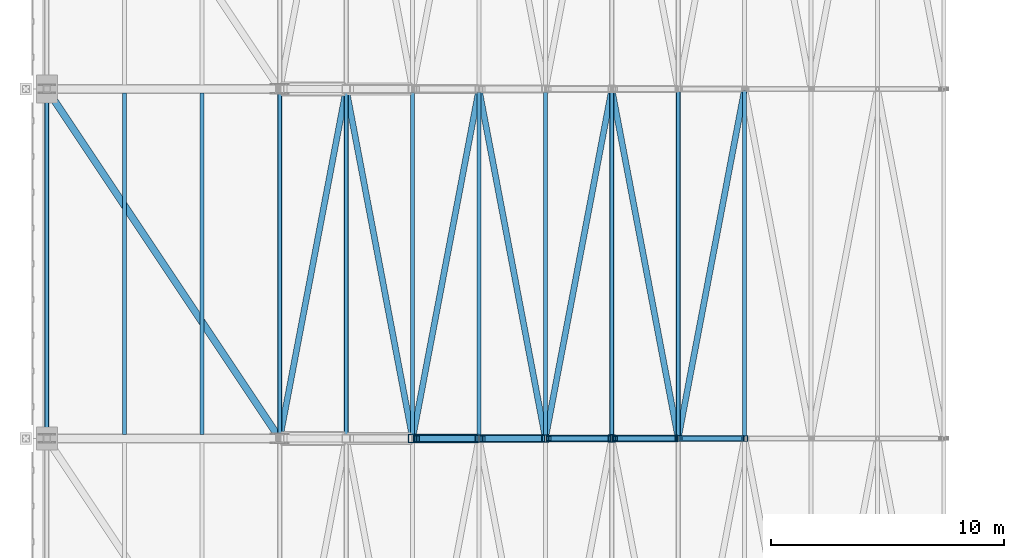
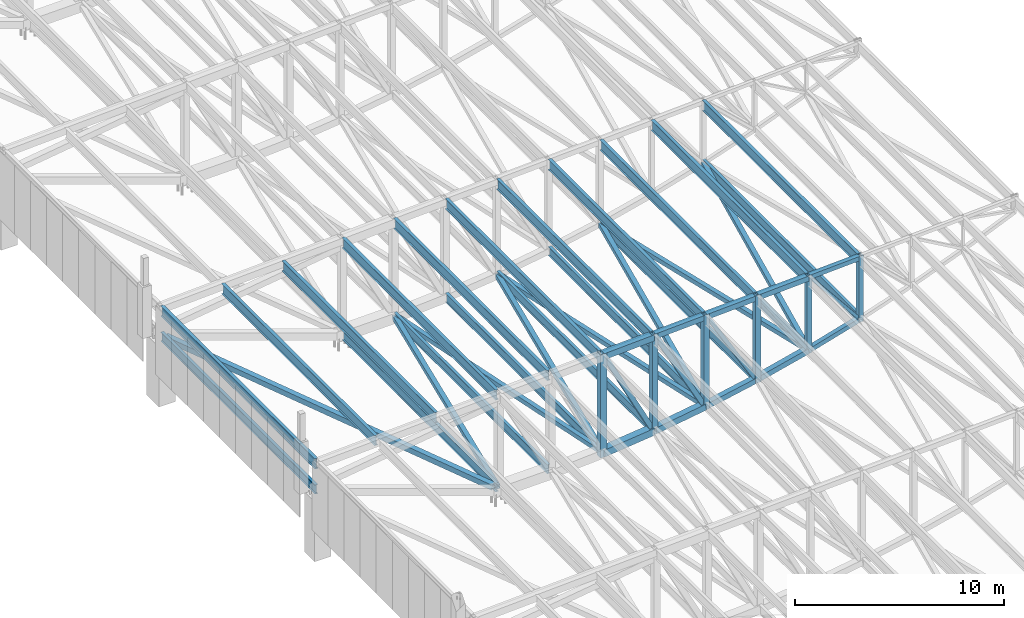
# One storey, part 33 of 278: 33 members, 16 beams.
"""IFC4 building model written with IfcOpenShell, lengths in metres."""

import ifcopenshell
import ifcopenshell.guid

model = None  # the IFC model being written
_history = None  # IfcOwnerHistory: only IFC2X3 demands one
_inside = {}  # id of a spatial element -> (the spatial element, [elements in it])
_under = {}  # id of a project, library or spatial element -> (it, [spatial elements below it])
_declared = {}  # id of a project -> (the project, [libraries it declares])
_typed = {}  # id of a type object -> (the type object, [elements of that type])
_made_of = {}  # id of a material, layer set ... -> (it, [elements and type objects made of it])


def new_model(schema):
    """Start an empty IFC model of exactly this schema.

    Asked for "IFC4X3", IfcOpenShell would pick the latest addendum, in which some entities
    have other attributes; the version numbers below select the first issue.
    IFC2X3 requires an IfcOwnerHistory on every rooted entity: one is made here for all.
    """
    global model, _history
    if schema == "IFC4X3":
        model = ifcopenshell.file(schema_version=(4, 3, 0, 0))
    else:
        model = ifcopenshell.file(schema=schema)
    _inside.clear()
    _under.clear()
    _declared.clear()
    _typed.clear()
    _made_of.clear()
    _history = None
    if model.schema == "IFC2X3":
        org = make("IfcOrganization", Name="unknown")
        user = make(
            "IfcPersonAndOrganization",
            ThePerson=make("IfcPerson", FamilyName="unknown"),
            TheOrganization=org,
        )
        app = make(
            "IfcApplication",
            ApplicationDeveloper=org,
            Version="unknown",
            ApplicationFullName="unknown",
            ApplicationIdentifier="unknown",
        )
        _history = make(
            "IfcOwnerHistory",
            OwningUser=user,
            OwningApplication=app,
            ChangeAction="ADDED",
            CreationDate=0,
        )
    return model


def make(cls, **values):
    """One entity of the class cls with the attributes given. An attribute that is None is left unset."""
    return model.create_entity(
        cls, **{name: value for name, value in values.items() if value is not None}
    )


def rooted(cls, **values):
    """An entity with a GlobalId (a new one), such as an element, a storey or a relation."""
    return make(cls, GlobalId=ifcopenshell.guid.new(), OwnerHistory=_history, **values)


def si_unit(unit_type, name, prefix=None):
    """IfcSIUnit, for example si_unit("LENGTHUNIT", "METRE", prefix="MILLI")."""
    return make("IfcSIUnit", UnitType=unit_type, Prefix=prefix, Name=name)


def assignment(units):
    """IfcUnitAssignment: the units of a project."""
    return None if units is None else make("IfcUnitAssignment", Units=units)


def point(xyz):
    """IfcCartesianPoint."""
    return None if xyz is None else make("IfcCartesianPoint", Coordinates=xyz)


def direction(xyz):
    """IfcDirection."""
    return None if xyz is None else make("IfcDirection", DirectionRatios=xyz)


def frame(location, z_axis=None, x_axis=None):
    """IfcAxis2Placement3D, a coordinate frame: its origin and axes. An axis left out is left unset."""
    return make(
        "IfcAxis2Placement3D",
        Location=point(location),
        Axis=direction(z_axis),
        RefDirection=direction(x_axis),
    )


def frame_2d(location, x_axis=None):
    """IfcAxis2Placement2D, a coordinate frame in the plane: its origin and x axis."""
    return make(
        "IfcAxis2Placement2D", Location=point(location), RefDirection=direction(x_axis)
    )


def origin():
    """The frame at (0, 0, 0) with its axes left unset."""
    return frame((0.0, 0.0, 0.0))


def origin_2d():
    """The frame at (0, 0) in the plane with its x axis left unset."""
    return frame_2d((0.0, 0.0))


def place(relative_to, where):
    """IfcLocalPlacement: puts the frame where relative to a parent placement (None: the world)."""
    return make(
        "IfcLocalPlacement", PlacementRelTo=relative_to, RelativePlacement=where
    )


def context(
    kind, dimensions, precision=None, world=None, true_north=None, identifier=None
):
    """IfcGeometricRepresentationContext, for example the 3D "Model" context."""
    return make(
        "IfcGeometricRepresentationContext",
        ContextIdentifier=identifier,
        ContextType=kind,
        CoordinateSpaceDimension=dimensions,
        Precision=precision,
        WorldCoordinateSystem=world,
        TrueNorth=true_north,
    )


def subcontext(parent, identifier, kind, view, scale=None):
    """IfcGeometricRepresentationSubContext, for example "Body" below "Model"."""
    return make(
        "IfcGeometricRepresentationSubContext",
        ContextIdentifier=identifier,
        ContextType=kind,
        ParentContext=parent,
        TargetScale=scale,
        TargetView=view,
    )


def project(units=None, contexts=None):
    """IfcProject with its units and contexts."""
    return rooted(
        "IfcProject",
        Name="project",
        RepresentationContexts=contexts,
        UnitsInContext=assignment(units),
    )


def spatial(cls, under=None, at=None, **own):
    """A site, building, storey or space (cls), placed at a placement, below another one or the project."""
    s = rooted(cls, ObjectPlacement=at, **own)
    if under is not None:
        _under.setdefault(under.id(), (under, []))[1].append(s)
    return s


def profile(cls, at=None, kind="AREA", **sizes):
    """A parametric profile (cls). Its sizes go by their IFC names, for example OverallWidth=200.0."""
    return make(cls, ProfileType=kind, Position=at, **sizes)


def hollow_rectangle(**sizes):
    """IfcRectangleHollowProfileDef."""
    return profile("IfcRectangleHollowProfileDef", **sizes)


def i_section(**sizes):
    """IfcIShapeProfileDef."""
    return profile("IfcIShapeProfileDef", **sizes)


def extrude(swept, where, along, depth):
    """IfcExtrudedAreaSolid: the profile swept, set in the frame where, extruded along a direction by depth."""
    return make(
        "IfcExtrudedAreaSolid",
        SweptArea=swept,
        Position=where,
        ExtrudedDirection=direction(along),
        Depth=depth,
    )


def shape(context_of_items, identifier, shape_type, items):
    """IfcShapeRepresentation: the items that make up one representation, for example the "Body"."""
    return make(
        "IfcShapeRepresentation",
        ContextOfItems=context_of_items,
        RepresentationIdentifier=identifier,
        RepresentationType=shape_type,
        Items=items,
    )


def material(Name=None, Category=None):
    """IfcMaterial."""
    return make("IfcMaterial", Name=Name, Category=Category)


def material_profile(
    of_material, cross_section, Name=None, Category=None, Priority=None
):
    """IfcMaterialProfile: a cross section and its material."""
    return make(
        "IfcMaterialProfile",
        Name=Name,
        Material=of_material,
        Profile=cross_section,
        Priority=Priority,
        Category=Category,
    )


def profile_set(profiles, Name=None, composite=None):
    """IfcMaterialProfileSet."""
    return make(
        "IfcMaterialProfileSet",
        Name=Name,
        MaterialProfiles=profiles,
        CompositeProfile=composite,
    )


def made_of(thing, what):
    """Note that an element or type object is made of a material, layer set ...; save() writes the relation."""
    if what is not None:
        _made_of.setdefault(what.id(), (what, []))[1].append(thing)
    return thing


def type_object(cls, material=None, **own):
    """A type object (cls), such as IfcWallType, which elements share."""
    return made_of(rooted(cls, **own), material)


def element(
    cls,
    number,
    at=None,
    inside=None,
    cuts=None,
    type_object=None,
    material=None,
    context=None,
    identifier="Body",
    shape_type=None,
    held_by="IfcProductDefinitionShape",
    body=None,
    shapes=None,
    **own,
):
    """One element of the class cls, such as IfcWall. Its Tag is "e" and its number.

    at: its placement. inside: the storey or other place that contains it. cuts: it is an
    opening in that element (IfcRelVoidsElement). A single representation is given by context,
    identifier, shape_type and body (its items); several are given by shapes. held_by: the class
    of the entity that holds the representations. save() writes the other relations.
    """
    e = rooted(cls, Tag="e%d" % number, ObjectPlacement=at, **own)
    if body is not None:
        shapes = [shape(context, identifier, shape_type, body)]
    if shapes is not None:
        e.Representation = make(held_by, Representations=shapes)
    if inside is not None:
        _inside.setdefault(inside.id(), (inside, []))[1].append(e)
    if cuts is not None:
        rooted(
            "IfcRelVoidsElement", RelatingBuildingElement=cuts, RelatedOpeningElement=e
        )
    if type_object is not None:
        _typed.setdefault(type_object.id(), (type_object, []))[1].append(e)
    return made_of(e, material)


def aggregate(whole, parts):
    """IfcRelAggregates: a whole, such as a stair, and the parts it consists of."""
    return rooted("IfcRelAggregates", RelatingObject=whole, RelatedObjects=parts)


def save(model, path):
    """Write the relations noted so far, then the file.

    IfcRelAggregates (storeys below a building ...), IfcRelContainedInSpatialStructure (elements
    in a storey), IfcRelDefinesByType, IfcRelAssociatesMaterial and IfcRelDeclares: one each for
    every whole, place, type object, material and project.
    """
    for whole, parts in _under.values():
        aggregate(whole, parts)
    for where, things in _inside.values():
        rooted(
            "IfcRelContainedInSpatialStructure",
            RelatedElements=things,
            RelatingStructure=where,
        )
    for kind, things in _typed.values():
        rooted("IfcRelDefinesByType", RelatedObjects=things, RelatingType=kind)
    for what, things in _made_of.values():
        rooted("IfcRelAssociatesMaterial", RelatedObjects=things, RelatingMaterial=what)
    for by, libraries in _declared.values():
        rooted("IfcRelDeclares", RelatingContext=by, RelatedDefinitions=libraries)
    model.write(path)


model = new_model("IFC4")

# Units and contexts
model_context = context("Model", 3, precision=1e-05, world=origin(), true_north=direction((0.0, 1.0)))
body_context = subcontext(model_context, "Body", "Model", "MODEL_VIEW")
ifc_project = project(units=[si_unit("LENGTHUNIT", "METRE"), si_unit("AREAUNIT", "SQUARE_METRE"), si_unit("VOLUMEUNIT", "CUBIC_METRE"), si_unit("PLANEANGLEUNIT", "RADIAN"), si_unit("MASSUNIT", "GRAM", prefix="KILO")], contexts=[model_context])

# Site, building, storey
site_placement = place(None, origin())
site = spatial("IfcSite", under=ifc_project, at=site_placement, CompositionType="ELEMENT")
building_placement = place(site_placement, origin())
building = spatial("IfcBuilding", under=site, at=building_placement, Name="Ogive Plaza Stadium", CompositionType="ELEMENT")
storey_placement = place(building_placement, frame((0.0, 0.0, 29.0)))
storey = spatial("IfcBuildingStorey", under=building, at=storey_placement, Name="Roof", CompositionType="ELEMENT", Elevation=29.0)

# Members
ifc_material_1 = material(Name="Steel ASTM A500 Grade C", Category="steel")
ifc_material_profile_1 = material_profile(ifc_material_1, hollow_rectangle(XDim=0.25390625, YDim=0.25390625, WallThickness=0.0087890625, at=origin_2d()), Name="HSS10X10X3/8")
ifc_profile_set_1 = profile_set([ifc_material_profile_1], Name="Steel ASTM A500 Grade C")
member_type_1 = type_object("IfcMemberType", Name="Roof plan brace HSS10X10X3/8", PredefinedType="BRACE", material=ifc_profile_set_1)
member_1_placement = place(storey_placement, frame((-54.068115234375, -7.595947265625, 3.27001953125), z_axis=(-0.186406461707, -0.981044003163, -0.052965034622), x_axis=(0.982422964001, -0.186668475654, 0.0)))
element("IfcMember", 1, at=member_1_placement, inside=storey, type_object=member_type_1, Name="ROOF BRACE B23 4", PredefinedType="BRACE", context=body_context, shape_type="SweptSolid", body=[
    extrude(hollow_rectangle(XDim=0.25390625, YDim=0.25390625, WallThickness=0.0087890625, at=origin_2d()), origin(), (0.0, 0.0, 1.0), 15.068359375),
])
member_2_placement = place(storey_placement, frame((-56.923095703125, -22.378662109375, 2.459716796875), z_axis=(-0.186461324063, 0.981373677857, -0.046237204039), x_axis=(-0.982424391989, -0.186660960097, 0.0)))
element("IfcMember", 2, at=member_2_placement, inside=storey, type_object=member_type_1, Name="ROOF BRACE B23 5", PredefinedType="BRACE", context=body_context, shape_type="SweptSolid", body=[
    extrude(hollow_rectangle(XDim=0.25390625, YDim=0.25390625, WallThickness=0.0087890625, at=origin_2d()), origin(), (0.0, 0.0, 1.0), 15.011474609375),
])
member_3_placement = place(storey_placement, frame((-59.77783203125, -7.646728515625, 1.753173828125), z_axis=(-0.186534960176, -0.981781820104, -0.036182403809), x_axis=(0.982425109661, -0.186657182843, 0.0)))
element("IfcMember", 3, at=member_3_placement, inside=storey, type_object=member_type_1, Name="ROOF BRACE B23 6", PredefinedType="BRACE", context=body_context, shape_type="SweptSolid", body=[
    extrude(hollow_rectangle(XDim=0.25390625, YDim=0.25390625, WallThickness=0.0087890625, at=origin_2d()), origin(), (0.0, 0.0, 1.0), 14.9794921875),
])
member_4_placement = place(storey_placement, frame((-62.6279296875, -22.353271484375, 1.20166015625), z_axis=(-0.186585145076, 0.982045956233, -0.027779911508), x_axis=(-0.982425109661, -0.186657182843, 0.0)))
element("IfcMember", 4, at=member_4_placement, inside=storey, type_object=member_type_1, Name="ROOF BRACE B23 7", PredefinedType="BRACE", context=body_context, shape_type="SweptSolid", body=[
    extrude(hollow_rectangle(XDim=0.25390625, YDim=0.25390625, WallThickness=0.0087890625, at=origin_2d()), origin(), (0.0, 0.0, 1.0), 14.975341796875),
])
member_5_placement = place(storey_placement, frame((-65.477783203125, -7.646728515625, 0.77880859375), z_axis=(-0.186639895054, -0.982268812283, -0.017706778071), x_axis=(0.982422833867, -0.186669160538, 0.0)))
element("IfcMember", 5, at=member_5_placement, inside=storey, type_object=member_type_1, Name="ROOF BRACE B23 8", PredefinedType="BRACE", context=body_context, shape_type="SweptSolid", body=[
    extrude(hollow_rectangle(XDim=0.25390625, YDim=0.25390625, WallThickness=0.0087890625, at=origin_2d()), origin(), (0.0, 0.0, 1.0), 14.946044921875),
])
member_6_placement = place(storey_placement, frame((-68.332763671875, -22.327880859375, 0.50927734375), z_axis=(-0.186657320186, 0.982381109131, -0.009295226886), x_axis=(-0.982423551356, -0.186665384421, 0.0)))
element("IfcMember", 6, at=member_6_placement, inside=storey, type_object=member_type_1, Name="ROOF BRACE B23 9", PredefinedType="BRACE", context=body_context, shape_type="SweptSolid", body=[
    extrude(hollow_rectangle(XDim=0.25390625, YDim=0.25390625, WallThickness=0.0087890625, at=origin_2d()), origin(), (0.0, 0.0, 1.0), 14.918701171875),
])
member_7_placement = place(storey_placement, frame((-71.1826171875, -7.672119140625, 0.368408203125), z_axis=(-0.186663720517, -0.982414794197, -0.004222272479), x_axis=(0.982423551356, -0.186665384421, 0.0)))
element("IfcMember", 7, at=member_7_placement, inside=storey, type_object=member_type_1, Name="ROOF BRACE B23 10", PredefinedType="BRACE", context=body_context, shape_type="SweptSolid", body=[
    extrude(hollow_rectangle(XDim=0.25390625, YDim=0.25390625, WallThickness=0.0087890625, at=origin_2d()), origin(), (0.0, 0.0, 1.0), 14.918212890625),
])
ifc_material_2 = material(Name="Steel ASTM A500 Grade C", Category="steel")
ifc_material_profile_2 = material_profile(ifc_material_2, hollow_rectangle(XDim=0.3046875, YDim=0.3046875, WallThickness=0.0087890625, at=origin_2d()), Name="HSS12X12X3/8")
ifc_profile_set_2 = profile_set([ifc_material_profile_2], Name="Steel ASTM A500 Grade C")
member_type_2 = type_object("IfcMemberType", Name="Roof plan brace HSS12X12X3/8", PredefinedType="BRACE", material=ifc_profile_set_2)
member_8_placement = place(storey_placement, frame((-74.158203125, -22.2626953125, 0.358642578125), z_axis=(-0.545096233751, 0.817651210116, 0.185247387419), x_axis=(-0.832052442118, -0.554696974542, 0.0)))
element("IfcMember", 8, at=member_8_placement, inside=storey, type_object=member_type_2, Name="ROOF BRACE B23 11", PredefinedType="BRACE", context=body_context, shape_type="SweptSolid", body=[
    extrude(hollow_rectangle(XDim=0.3046875, YDim=0.3046875, WallThickness=0.0087890625, at=origin_2d()), origin(), (0.0, 0.0, 1.0), 17.7958984375),
])
ifc_material_3 = material(Name="Steel ASTM A992 Grade 50", Category="steel")
ifc_material_profile_3 = material_profile(ifc_material_3, i_section(OverallWidth=0.1650390625, OverallDepth=0.524658203125, WebThickness=0.0087890625, FlangeThickness=0.011474609375, at=origin_2d()), Name="W21X44")
ifc_profile_set_3 = profile_set([ifc_material_profile_3], Name="Steel ASTM A992 Grade 50")
member_type_3 = type_object("IfcMemberType", Name="Roof plan strut W21X44", PredefinedType="STRUT", material=ifc_profile_set_3)
member_9_placement = place(storey_placement, frame((-54.050048828125, -22.428466796875, 3.275146484375), z_axis=(0.0, 1.0, 0.0), x_axis=(-1.0, 0.0, 0.0)))
element("IfcMember", 9, at=member_9_placement, inside=storey, type_object=member_type_3, Name="ROOF STRUT B23 3", PredefinedType="STRUT", context=body_context, shape_type="SweptSolid", body=[
    extrude(i_section(OverallWidth=0.1650390625, OverallDepth=0.524658203125, WebThickness=0.0087890625, FlangeThickness=0.011474609375, at=origin_2d()), origin(), (0.0, 0.0, 1.0), 14.85693359375),
])
member_10_placement = place(storey_placement, frame((-56.89990234375, -22.403076171875, 2.46533203125), z_axis=(0.0, 1.0, 0.0), x_axis=(-1.0, 0.0, 0.0)))
element("IfcMember", 10, at=member_10_placement, inside=storey, type_object=member_type_3, Name="ROOF STRUT B23 4", PredefinedType="STRUT", context=body_context, shape_type="SweptSolid", body=[
    extrude(i_section(OverallWidth=0.1650390625, OverallDepth=0.524658203125, WebThickness=0.0087890625, FlangeThickness=0.011474609375, at=origin_2d()), origin(), (0.0, 0.0, 1.0), 14.80615234375),
])
for number, where, z_axis, x_axis, name in (
    (11, (-59.75, -22.377685546875, 1.758544921875), (0.0, 1.0, 0.0), (-1.0, 0.0, 0.0), "ROOF STRUT B23 5"),
    (12, (-62.60009765625, -22.377685546875, 1.205810546875), (0.0, 1.0, 0.0), (-1.0, 0.0, 0.0), "ROOF STRUT B23 6"),
    (13, (-65.449951171875, -22.377685546875, 0.781494140625), (0.0, 1.0, 0.0), (-1.0, 0.0, 0.0), "ROOF STRUT B23 7"),
):
    element("IfcMember", number, at=place(storey_placement, frame(where, z_axis=z_axis, x_axis=x_axis)), inside=storey, type_object=member_type_3, Name=name, PredefinedType="STRUT", context=body_context, shape_type="SweptSolid", body=[
        extrude(i_section(OverallWidth=0.1650390625, OverallDepth=0.524658203125, WebThickness=0.0087890625, FlangeThickness=0.011474609375, at=origin_2d()), origin(), (0.0, 0.0, 1.0), 14.75537109375),
    ])
for number, where, z_axis, x_axis, name in (
    (14, (-68.300048828125, -22.352294921875, 0.510986328125), (0.0, 1.0, 0.0), (-1.0, 0.0, 0.0), "ROOF STRUT B23 8"),
    (15, (-71.14990234375, -22.352294921875, 0.369140625), (0.0, 1.0, 0.0), (-1.0, 0.0, 0.0), "ROOF STRUT B23 9"),
    (16, (-74.0, -22.352294921875, 0.3046875), (0.0, 1.0, 0.0), (-1.0, 0.0, 0.0), "ROOF STRUT B23 10"),
):
    element("IfcMember", number, at=place(storey_placement, frame(where, z_axis=z_axis, x_axis=x_axis)), inside=storey, type_object=member_type_3, Name=name, PredefinedType="STRUT", context=body_context, shape_type="SweptSolid", body=[
        extrude(i_section(OverallWidth=0.1650390625, OverallDepth=0.524658203125, WebThickness=0.0087890625, FlangeThickness=0.011474609375, at=origin_2d()), origin(), (0.0, 0.0, 1.0), 14.70458984375),
    ])
member_11_placement = place(storey_placement, frame((-84.0, -22.377685546875, 3.703125), z_axis=(0.0, 1.0, 0.0), x_axis=(-1.0, 0.0, 0.0)))
element("IfcMember", 17, at=member_11_placement, inside=storey, type_object=member_type_3, Name="ROOF STRUT B23 11", PredefinedType="STRUT", context=body_context, shape_type="SweptSolid", body=[
    extrude(i_section(OverallWidth=0.1650390625, OverallDepth=0.524658203125, WebThickness=0.0087890625, FlangeThickness=0.011474609375, at=origin_2d()), origin(), (0.0, 0.0, 1.0), 14.75537109375),
])
ifc_material_4 = material(Name="Steel ASTM A992 Grade 50", Category="steel")
ifc_material_profile_4 = material_profile(ifc_material_4, i_section(OverallWidth=0.177978515625, OverallDepth=0.5986328125, WebThickness=0.010009765625, FlangeThickness=0.012939453125, at=origin_2d()), Name="W24X55")
ifc_profile_set_4 = profile_set([ifc_material_profile_4], Name="Steel ASTM A992 Grade 50")
member_type_4 = type_object("IfcMemberType", Name="Roof purlin W24X55", PredefinedType="PURLIN", material=ifc_profile_set_4)
member_12_placement = place(storey_placement, frame((-54.050048828125, -22.428466796875, 6.6982421875), z_axis=(0.0, 1.0, 0.0), x_axis=(-1.0, 0.0, 0.0)))
element("IfcMember", 18, at=member_12_placement, inside=storey, type_object=member_type_4, Name="ROOF PURLIN B23 3", PredefinedType="PURLIN", context=body_context, shape_type="SweptSolid", body=[
    extrude(i_section(OverallWidth=0.177978515625, OverallDepth=0.5986328125, WebThickness=0.010009765625, FlangeThickness=0.012939453125, at=origin_2d()), origin(), (0.0, 0.0, 1.0), 14.85693359375),
])
member_13_placement = place(storey_placement, frame((-56.89990234375, -22.403076171875, 6.5556640625), z_axis=(0.0, 1.0, 0.0), x_axis=(-1.0, 0.0, 0.0)))
element("IfcMember", 19, at=member_13_placement, inside=storey, type_object=member_type_4, Name="ROOF PURLIN B23 4", PredefinedType="PURLIN", context=body_context, shape_type="SweptSolid", body=[
    extrude(i_section(OverallWidth=0.177978515625, OverallDepth=0.5986328125, WebThickness=0.010009765625, FlangeThickness=0.012939453125, at=origin_2d()), origin(), (0.0, 0.0, 1.0), 14.80615234375),
])
for number, where, z_axis, x_axis, name in (
    (20, (-59.75, -22.377685546875, 6.4130859375), (0.0, 1.0, 0.0), (-1.0, 0.0, 0.0), "ROOF PURLIN B23 5"),
    (21, (-62.60009765625, -22.377685546875, 6.270751953125), (0.0, 1.0, 0.0), (-1.0, 0.0, 0.0), "ROOF PURLIN B23 6"),
    (22, (-65.449951171875, -22.377685546875, 6.128173828125), (0.0, 1.0, 0.0), (-1.0, 0.0, 0.0), "ROOF PURLIN B23 7"),
):
    element("IfcMember", number, at=place(storey_placement, frame(where, z_axis=z_axis, x_axis=x_axis)), inside=storey, type_object=member_type_4, Name=name, PredefinedType="PURLIN", context=body_context, shape_type="SweptSolid", body=[
        extrude(i_section(OverallWidth=0.177978515625, OverallDepth=0.5986328125, WebThickness=0.010009765625, FlangeThickness=0.012939453125, at=origin_2d()), origin(), (0.0, 0.0, 1.0), 14.75537109375),
    ])
for number, where, z_axis, x_axis, name in (
    (23, (-68.300048828125, -22.352294921875, 5.985595703125), (0.0, 1.0, 0.0), (-1.0, 0.0, 0.0), "ROOF PURLIN B23 8"),
    (24, (-71.14990234375, -22.352294921875, 5.84326171875), (0.0, 1.0, 0.0), (-1.0, 0.0, 0.0), "ROOF PURLIN B23 9"),
    (25, (-74.0, -22.352294921875, 5.70068359375), (0.0, 1.0, 0.0), (-1.0, 0.0, 0.0), "ROOF PURLIN B23 10"),
):
    element("IfcMember", number, at=place(storey_placement, frame(where, z_axis=z_axis, x_axis=x_axis)), inside=storey, type_object=member_type_4, Name=name, PredefinedType="PURLIN", context=body_context, shape_type="SweptSolid", body=[
        extrude(i_section(OverallWidth=0.177978515625, OverallDepth=0.5986328125, WebThickness=0.010009765625, FlangeThickness=0.012939453125, at=origin_2d()), origin(), (0.0, 0.0, 1.0), 14.70458984375),
    ])
for number, where, z_axis, x_axis, name in (
    (26, (-77.333251953125, -22.326904296875, 5.533935546875), (0.0, 1.0, 0.0), (-1.0, 0.0, 0.0), "ROOF PURLIN B23 11"),
    (27, (-80.666748046875, -22.326904296875, 5.367431640625), (0.0, 1.0, 0.0), (-1.0, 0.0, 0.0), "ROOF PURLIN B23 12"),
):
    element("IfcMember", number, at=place(storey_placement, frame(where, z_axis=z_axis, x_axis=x_axis)), inside=storey, type_object=member_type_4, Name=name, PredefinedType="PURLIN", context=body_context, shape_type="SweptSolid", body=[
        extrude(i_section(OverallWidth=0.177978515625, OverallDepth=0.5986328125, WebThickness=0.010009765625, FlangeThickness=0.012939453125, at=origin_2d()), origin(), (0.0, 0.0, 1.0), 14.65380859375),
    ])
member_14_placement = place(storey_placement, frame((-84.0, -22.377685546875, 5.20068359375), z_axis=(0.0, 1.0, 0.0), x_axis=(-1.0, 0.0, 0.0)))
element("IfcMember", 28, at=member_14_placement, inside=storey, type_object=member_type_4, Name="ROOF PURLIN B23 13", PredefinedType="PURLIN", context=body_context, shape_type="SweptSolid", body=[
    extrude(i_section(OverallWidth=0.177978515625, OverallDepth=0.5986328125, WebThickness=0.010009765625, FlangeThickness=0.012939453125, at=origin_2d()), origin(), (0.0, 0.0, 1.0), 14.75537109375),
])

# Beams
ifc_material_5 = material(Name="Steel ASTM A500 Grade C", Category="steel")
ifc_material_profile_5 = material_profile(ifc_material_5, hollow_rectangle(XDim=0.25390625, YDim=0.25390625, WallThickness=0.01171875, at=origin_2d()), Name="HSS10X10X1/2")
ifc_profile_set_5 = profile_set([ifc_material_profile_5], Name="Steel ASTM A500 Grade C")
beam_type_1 = type_object("IfcBeamType", Name="Roof truss bottom chord HSS10X10X1/2", PredefinedType="BEAM", material=ifc_profile_set_5)
beam_1_placement = place(storey_placement, frame((-54.10009765625, -22.5, 3.265869140625), z_axis=(-0.959640437259, 0.0, -0.281229854705), x_axis=(0.0, -1.0, 0.0)))
element("IfcBeam", 29, at=beam_1_placement, inside=storey, type_object=beam_type_1, Name="ROOF TRUSS T23 BOTTOM CHORD 4", PredefinedType="BEAM", context=body_context, shape_type="SweptSolid", body=[
    extrude(hollow_rectangle(XDim=0.25390625, YDim=0.25390625, WallThickness=0.01171875, at=origin_2d()), origin(), (0.0, 0.0, 1.0), 2.86572265625),
])
ifc_material_6 = material(Name="Steel ASTM A500 Grade C", Category="steel")
ifc_material_profile_6 = material_profile(ifc_material_6, hollow_rectangle(XDim=0.3046875, YDim=0.3046875, WallThickness=0.0146484375, at=origin_2d()), Name="HSS12X12X5/8")
ifc_profile_set_6 = profile_set([ifc_material_profile_6], Name="Steel ASTM A500 Grade C")
beam_type_2 = type_object("IfcBeamType", Name="Roof truss bottom chord HSS12X12X5/8", PredefinedType="BEAM", material=ifc_profile_set_6)
beam_2_placement = place(storey_placement, frame((-56.949951171875, -22.5, 2.45751953125), z_axis=(-0.970607032995, 0.0, -0.240669872439), x_axis=(0.0, -1.0, 0.0)))
element("IfcBeam", 30, at=beam_2_placement, inside=storey, type_object=beam_type_2, Name="ROOF TRUSS T23 BOTTOM CHORD 5", PredefinedType="BEAM", context=body_context, shape_type="SweptSolid", body=[
    extrude(hollow_rectangle(XDim=0.3046875, YDim=0.3046875, WallThickness=0.0146484375, at=origin_2d()), origin(), (0.0, 0.0, 1.0), 2.833251953125),
])
beam_3_placement = place(storey_placement, frame((-59.800048828125, -22.5, 1.751708984375), z_axis=(-0.980021250437, 0.0, -0.19889280704), x_axis=(0.0, -1.0, 0.0)))
element("IfcBeam", 31, at=beam_3_placement, inside=storey, type_object=beam_type_2, Name="ROOF TRUSS T23 BOTTOM CHORD 6", PredefinedType="BEAM", context=body_context, shape_type="SweptSolid", body=[
    extrude(hollow_rectangle(XDim=0.3046875, YDim=0.3046875, WallThickness=0.0146484375, at=origin_2d()), origin(), (0.0, 0.0, 1.0), 2.80615234375),
])
ifc_material_7 = material(Name="Steel ASTM A500 Grade C", Category="steel")
ifc_material_profile_7 = material_profile(ifc_material_7, hollow_rectangle(XDim=0.355712890625, YDim=0.355712890625, WallThickness=0.0146484375, at=origin_2d()), Name="HSS14X14X5/8")
ifc_profile_set_7 = profile_set([ifc_material_profile_7], Name="Steel ASTM A500 Grade C")
beam_type_3 = type_object("IfcBeamType", Name="Roof truss bottom chord HSS14X14X5/8", PredefinedType="BEAM", material=ifc_profile_set_7)
beam_4_placement = place(storey_placement, frame((-62.64990234375, -22.5, 1.2001953125), z_axis=(-0.987770074518, 0.0, -0.155917541947), x_axis=(0.0, -1.0, 0.0)))
element("IfcBeam", 32, at=beam_4_placement, inside=storey, type_object=beam_type_3, Name="ROOF TRUSS T23 BOTTOM CHORD 7", PredefinedType="BEAM", context=body_context, shape_type="SweptSolid", body=[
    extrude(hollow_rectangle(XDim=0.355712890625, YDim=0.355712890625, WallThickness=0.0146484375, at=origin_2d()), origin(), (0.0, 0.0, 1.0), 2.783935546875),
])
ifc_material_8 = material(Name="Steel ASTM A500 Grade C", Category="steel")
ifc_material_profile_8 = material_profile(ifc_material_8, hollow_rectangle(XDim=0.406494140625, YDim=0.406494140625, WallThickness=0.0146484375, at=origin_2d()), Name="HSS16X16X5/8")
ifc_profile_set_8 = profile_set([ifc_material_profile_8], Name="Steel ASTM A500 Grade C")
beam_type_4 = type_object("IfcBeamType", Name="Roof truss bottom chord HSS16X16X5/8", PredefinedType="BEAM", material=ifc_profile_set_8)
beam_5_placement = place(storey_placement, frame((-65.5, -22.5, 0.777099609375), z_axis=(-0.993703844406, 0.0, -0.112038696946), x_axis=(0.0, -1.0, 0.0)))
element("IfcBeam", 33, at=beam_5_placement, inside=storey, type_object=beam_type_4, Name="ROOF TRUSS T23 BOTTOM CHORD 8", PredefinedType="BEAM", context=body_context, shape_type="SweptSolid", body=[
    extrude(hollow_rectangle(XDim=0.406494140625, YDim=0.406494140625, WallThickness=0.0146484375, at=origin_2d()), origin(), (0.0, 0.0, 1.0), 2.767333984375),
])

# Members
ifc_material_9 = material(Name="Steel ASTM A500 Grade C", Category="steel")
ifc_material_profile_9 = material_profile(ifc_material_9, hollow_rectangle(XDim=0.25390625, YDim=0.25390625, WallThickness=0.0087890625, at=origin_2d()), Name="HSS10X10X3/8")
ifc_profile_set_9 = profile_set([ifc_material_profile_9], Name="Steel ASTM A500 Grade C")
member_type_5 = type_object("IfcMemberType", Name="Roof truss diagonal HSS10X10X3/8", PredefinedType="BRACE", material=ifc_profile_set_9)
member_15_placement = place(storey_placement, frame((-62.75244140625, -22.5, 1.383544921875), z_axis=(-0.473127942579, 0.0, 0.880993728667), x_axis=(0.0, -1.0, 0.0)))
element("IfcMember", 34, at=member_15_placement, inside=storey, type_object=member_type_5, Name="ROOF TRUSS T23 DIAGONAL 7", PredefinedType="BRACE", context=body_context, shape_type="SweptSolid", body=[
    extrude(hollow_rectangle(XDim=0.25390625, YDim=0.25390625, WallThickness=0.0087890625, at=origin_2d()), origin(), (0.0, 0.0, 1.0), 5.37939453125),
])
member_16_placement = place(storey_placement, frame((-65.602294921875, -22.5, 0.984619140625), z_axis=(-0.454062843231, 0.0, 0.890969659639), x_axis=(0.0, -1.0, 0.0)))
element("IfcMember", 35, at=member_16_placement, inside=storey, type_object=member_type_5, Name="ROOF TRUSS T23 DIAGONAL 8", PredefinedType="BRACE", context=body_context, shape_type="SweptSolid", body=[
    extrude(hollow_rectangle(XDim=0.25390625, YDim=0.25390625, WallThickness=0.0087890625, at=origin_2d()), origin(), (0.0, 0.0, 1.0), 5.550048828125),
])
ifc_material_10 = material(Name="Steel ASTM A500 Grade C", Category="steel")
ifc_material_profile_10 = material_profile(ifc_material_10, hollow_rectangle(XDim=0.15234375, YDim=0.15234375, WallThickness=0.0087890625, at=origin_2d()), Name="HSS6X6X3/8")
ifc_profile_set_10 = profile_set([ifc_material_profile_10], Name="Steel ASTM A500 Grade C")
member_type_6 = type_object("IfcMemberType", Name="Roof truss diagonal HSS6X6X3/8", PredefinedType="BRACE", material=ifc_profile_set_10)
member_17_placement = place(storey_placement, frame((-54.177001953125, -22.5, 3.40234375), z_axis=(-0.630150764463, 0.0, 0.77647280316), x_axis=(0.0, -1.0, 0.0)))
element("IfcMember", 36, at=member_17_placement, inside=storey, type_object=member_type_6, Name="ROOF TRUSS T23 DIAGONAL 4", PredefinedType="BRACE", context=body_context, shape_type="SweptSolid", body=[
    extrude(hollow_rectangle(XDim=0.15234375, YDim=0.15234375, WallThickness=0.0087890625, at=origin_2d()), origin(), (0.0, 0.0, 1.0), 4.11962890625),
])
ifc_material_11 = material(Name="Steel ASTM A500 Grade C", Category="steel")
ifc_material_profile_11 = material_profile(ifc_material_11, hollow_rectangle(XDim=0.203125, YDim=0.203125, WallThickness=0.0087890625, at=origin_2d()), Name="HSS8X8X3/8")
ifc_profile_set_11 = profile_set([ifc_material_profile_11], Name="Steel ASTM A500 Grade C")
member_type_7 = type_object("IfcMemberType", Name="Roof truss diagonal HSS8X8X3/8", PredefinedType="BRACE", material=ifc_profile_set_11)
member_18_placement = place(storey_placement, frame((-57.027099609375, -22.5, 2.617919921875), z_axis=(-0.561338440243, 0.0, 0.827586343233), x_axis=(0.0, -1.0, 0.0)))
element("IfcMember", 37, at=member_18_placement, inside=storey, type_object=member_type_7, Name="ROOF TRUSS T23 DIAGONAL 5", PredefinedType="BRACE", context=body_context, shape_type="SweptSolid", body=[
    extrude(hollow_rectangle(XDim=0.203125, YDim=0.203125, WallThickness=0.0087890625, at=origin_2d()), origin(), (0.0, 0.0, 1.0), 4.579345703125),
])
member_19_placement = place(storey_placement, frame((-59.90234375, -22.5, 1.9111328125), z_axis=(-0.504659398762, 0.0, 0.863318534054), x_axis=(0.0, -1.0, 0.0)))
element("IfcMember", 38, at=member_19_placement, inside=storey, type_object=member_type_7, Name="ROOF TRUSS T23 DIAGONAL 6", PredefinedType="BRACE", context=body_context, shape_type="SweptSolid", body=[
    extrude(hollow_rectangle(XDim=0.203125, YDim=0.203125, WallThickness=0.0087890625, at=origin_2d()), origin(), (0.0, 0.0, 1.0), 5.043212890625),
])

# Beams
ifc_material_12 = material(Name="Steel ASTM A500 Grade C", Category="steel")
ifc_material_profile_12 = material_profile(ifc_material_12, hollow_rectangle(XDim=0.25390625, YDim=0.25390625, WallThickness=0.01171875, at=origin_2d()), Name="HSS10X10X1/2")
ifc_profile_set_12 = profile_set([ifc_material_profile_12], Name="Steel ASTM A500 Grade C")
beam_type_5 = type_object("IfcBeamType", Name="Roof truss post HSS10X10X1/2", PredefinedType="BEAM", material=ifc_profile_set_12)
beam_6_placement = place(storey_placement, frame((-54.050048828125, -22.5, 3.148193359375), z_axis=(0.0, 0.0, 1.0), x_axis=(0.0, -1.0, 0.0)))
element("IfcBeam", 39, at=beam_6_placement, inside=storey, type_object=beam_type_5, Name="ROOF TRUSS T23 POST 4", PredefinedType="BEAM", context=body_context, shape_type="SweptSolid", body=[
    extrude(hollow_rectangle(XDim=0.25390625, YDim=0.25390625, WallThickness=0.01171875, at=origin_2d()), origin(), (0.0, 0.0, 1.0), 3.849365234375),
])
beam_7_placement = place(storey_placement, frame((-56.89990234375, -22.5, 2.31298828125), z_axis=(0.0, 0.0, 1.0), x_axis=(0.0, -1.0, 0.0)))
element("IfcBeam", 40, at=beam_7_placement, inside=storey, type_object=beam_type_5, Name="ROOF TRUSS T23 POST 5", PredefinedType="BEAM", context=body_context, shape_type="SweptSolid", body=[
    extrude(hollow_rectangle(XDim=0.25390625, YDim=0.25390625, WallThickness=0.01171875, at=origin_2d()), origin(), (0.0, 0.0, 1.0), 4.5419921875),
])
ifc_material_13 = material(Name="Steel ASTM A500 Grade C", Category="steel")
ifc_material_profile_13 = material_profile(ifc_material_13, hollow_rectangle(XDim=0.3046875, YDim=0.3046875, WallThickness=0.01171875, at=origin_2d()), Name="HSS12X12X1/2")
ifc_profile_set_13 = profile_set([ifc_material_profile_13], Name="Steel ASTM A500 Grade C")
beam_type_6 = type_object("IfcBeamType", Name="Roof truss post HSS12X12X1/2", PredefinedType="BEAM", material=ifc_profile_set_13)
beam_8_placement = place(storey_placement, frame((-59.75, -22.5, 1.606201171875), z_axis=(0.0, 0.0, 1.0), x_axis=(0.0, -1.0, 0.0)))
element("IfcBeam", 41, at=beam_8_placement, inside=storey, type_object=beam_type_6, Name="ROOF TRUSS T23 POST 6", PredefinedType="BEAM", context=body_context, shape_type="SweptSolid", body=[
    extrude(hollow_rectangle(XDim=0.3046875, YDim=0.3046875, WallThickness=0.01171875, at=origin_2d()), origin(), (0.0, 0.0, 1.0), 5.106201171875),
])
ifc_material_14 = material(Name="Steel ASTM A500 Grade C", Category="steel")
ifc_material_profile_14 = material_profile(ifc_material_14, hollow_rectangle(XDim=0.3046875, YDim=0.3046875, WallThickness=0.0146484375, at=origin_2d()), Name="HSS12X12X5/8")
ifc_profile_set_14 = profile_set([ifc_material_profile_14], Name="Steel ASTM A500 Grade C")
beam_type_7 = type_object("IfcBeamType", Name="Roof truss post HSS12X12X5/8", PredefinedType="BEAM", material=ifc_profile_set_14)
beam_9_placement = place(storey_placement, frame((-62.60009765625, -22.5, 1.028076171875), z_axis=(0.0, 0.0, 1.0), x_axis=(0.0, -1.0, 0.0)))
element("IfcBeam", 42, at=beam_9_placement, inside=storey, type_object=beam_type_7, Name="ROOF TRUSS T23 POST 7", PredefinedType="BEAM", context=body_context, shape_type="SweptSolid", body=[
    extrude(hollow_rectangle(XDim=0.3046875, YDim=0.3046875, WallThickness=0.0146484375, at=origin_2d()), origin(), (0.0, 0.0, 1.0), 5.5419921875),
])
beam_10_placement = place(storey_placement, frame((-65.449951171875, -22.5, 0.578369140625), z_axis=(0.0, 0.0, 1.0), x_axis=(0.0, -1.0, 0.0)))
element("IfcBeam", 43, at=beam_10_placement, inside=storey, type_object=beam_type_7, Name="ROOF TRUSS T23 POST 8", PredefinedType="BEAM", context=body_context, shape_type="SweptSolid", body=[
    extrude(hollow_rectangle(XDim=0.3046875, YDim=0.3046875, WallThickness=0.0146484375, at=origin_2d()), origin(), (0.0, 0.0, 1.0), 5.84912109375),
])
ifc_material_15 = material(Name="Steel ASTM A500 Grade C", Category="steel")
ifc_material_profile_15 = material_profile(ifc_material_15, hollow_rectangle(XDim=0.355712890625, YDim=0.355712890625, WallThickness=0.0146484375, at=origin_2d()), Name="HSS14X14X5/8")
ifc_profile_set_15 = profile_set([ifc_material_profile_15], Name="Steel ASTM A500 Grade C")
beam_type_8 = type_object("IfcBeamType", Name="Roof truss post HSS14X14X5/8", PredefinedType="BEAM", material=ifc_profile_set_15)
beam_11_placement = place(storey_placement, frame((-68.300048828125, -22.5, 0.257080078125), z_axis=(0.0, 0.0, 1.0), x_axis=(0.0, -1.0, 0.0)))
element("IfcBeam", 44, at=beam_11_placement, inside=storey, type_object=beam_type_8, Name="ROOF TRUSS T23 POST 9", PredefinedType="BEAM", context=body_context, shape_type="SweptSolid", body=[
    extrude(hollow_rectangle(XDim=0.355712890625, YDim=0.355712890625, WallThickness=0.0146484375, at=origin_2d()), origin(), (0.0, 0.0, 1.0), 6.02783203125),
])
ifc_material_16 = material(Name="Steel ASTM A500 Grade C", Category="steel")
ifc_material_profile_16 = material_profile(ifc_material_16, hollow_rectangle(XDim=0.25390625, YDim=0.25390625, WallThickness=0.0087890625, at=origin_2d()), Name="HSS10X10X3/8")
ifc_profile_set_16 = profile_set([ifc_material_profile_16], Name="Steel ASTM A500 Grade C")
beam_type_9 = type_object("IfcBeamType", Name="Roof truss top chord HSS10X10X3/8", PredefinedType="BEAM", material=ifc_profile_set_16)
beam_12_placement = place(storey_placement, frame((-54.10009765625, -22.5, 6.867919921875), z_axis=(-0.998748798523, 0.0, -0.05000837379), x_axis=(0.0, -1.0, 0.0)))
element("IfcBeam", 45, at=beam_12_placement, inside=storey, type_object=beam_type_9, Name="ROOF TRUSS T23 TOP CHORD 4", PredefinedType="BEAM", context=body_context, shape_type="SweptSolid", body=[
    extrude(hollow_rectangle(XDim=0.25390625, YDim=0.25390625, WallThickness=0.0087890625, at=origin_2d()), origin(), (0.0, 0.0, 1.0), 2.75341796875),
])
ifc_material_17 = material(Name="Steel ASTM A500 Grade C", Category="steel")
ifc_material_profile_17 = material_profile(ifc_material_17, hollow_rectangle(XDim=0.3046875, YDim=0.3046875, WallThickness=0.01171875, at=origin_2d()), Name="HSS12X12X1/2")
ifc_profile_set_17 = profile_set([ifc_material_profile_17], Name="Steel ASTM A500 Grade C")
beam_type_10 = type_object("IfcBeamType", Name="Roof truss top chord HSS12X12X1/2", PredefinedType="BEAM", material=ifc_profile_set_17)
beam_13_placement = place(storey_placement, frame((-62.64990234375, -22.5, 6.414794921875), z_axis=(-0.998753223187, 0.0, -0.049919927615), x_axis=(0.0, -1.0, 0.0)))
element("IfcBeam", 46, at=beam_13_placement, inside=storey, type_object=beam_type_10, Name="ROOF TRUSS T23 TOP CHORD 7", PredefinedType="BEAM", context=body_context, shape_type="SweptSolid", body=[
    extrude(hollow_rectangle(XDim=0.3046875, YDim=0.3046875, WallThickness=0.01171875, at=origin_2d()), origin(), (0.0, 0.0, 1.0), 2.75341796875),
])
ifc_material_18 = material(Name="Steel ASTM A500 Grade C", Category="steel")
ifc_material_profile_18 = material_profile(ifc_material_18, hollow_rectangle(XDim=0.3046875, YDim=0.3046875, WallThickness=0.0087890625, at=origin_2d()), Name="HSS12X12X3/8")
ifc_profile_set_18 = profile_set([ifc_material_profile_18], Name="Steel ASTM A500 Grade C")
beam_type_11 = type_object("IfcBeamType", Name="Roof truss top chord HSS12X12X3/8", PredefinedType="BEAM", material=ifc_profile_set_18)
for number, where, z_axis, x_axis, name in (
    (47, (-56.949951171875, -22.5, 6.699951171875), (-0.998753223187, 0.0, -0.049919927615), (0.0, -1.0, 0.0), "ROOF TRUSS T23 TOP CHORD 5"),
    (48, (-59.800048828125, -22.5, 6.557373046875), (-0.998753223187, 0.0, -0.049919927615), (0.0, -1.0, 0.0), "ROOF TRUSS T23 TOP CHORD 6"),
):
    element("IfcBeam", number, at=place(storey_placement, frame(where, z_axis=z_axis, x_axis=x_axis)), inside=storey, type_object=beam_type_11, Name=name, PredefinedType="BEAM", context=body_context, shape_type="SweptSolid", body=[
        extrude(hollow_rectangle(XDim=0.3046875, YDim=0.3046875, WallThickness=0.0087890625, at=origin_2d()), origin(), (0.0, 0.0, 1.0), 2.75341796875),
    ])
ifc_material_19 = material(Name="Steel ASTM A500 Grade C", Category="steel")
ifc_material_profile_19 = material_profile(ifc_material_19, hollow_rectangle(XDim=0.355712890625, YDim=0.355712890625, WallThickness=0.01171875, at=origin_2d()), Name="HSS14X14X1/2")
ifc_profile_set_19 = profile_set([ifc_material_profile_19], Name="Steel ASTM A500 Grade C")
beam_type_12 = type_object("IfcBeamType", Name="Roof truss top chord HSS14X14X1/2", PredefinedType="BEAM", material=ifc_profile_set_19)
beam_14_placement = place(storey_placement, frame((-65.5, -22.5, 6.2470703125), z_axis=(-0.998748798523, 0.0, -0.05000837379), x_axis=(0.0, -1.0, 0.0)))
element("IfcBeam", 49, at=beam_14_placement, inside=storey, type_object=beam_type_12, Name="ROOF TRUSS T23 TOP CHORD 8", PredefinedType="BEAM", context=body_context, shape_type="SweptSolid", body=[
    extrude(hollow_rectangle(XDim=0.355712890625, YDim=0.355712890625, WallThickness=0.01171875, at=origin_2d()), origin(), (0.0, 0.0, 1.0), 2.75341796875),
])

save(model, "model.ifc")
